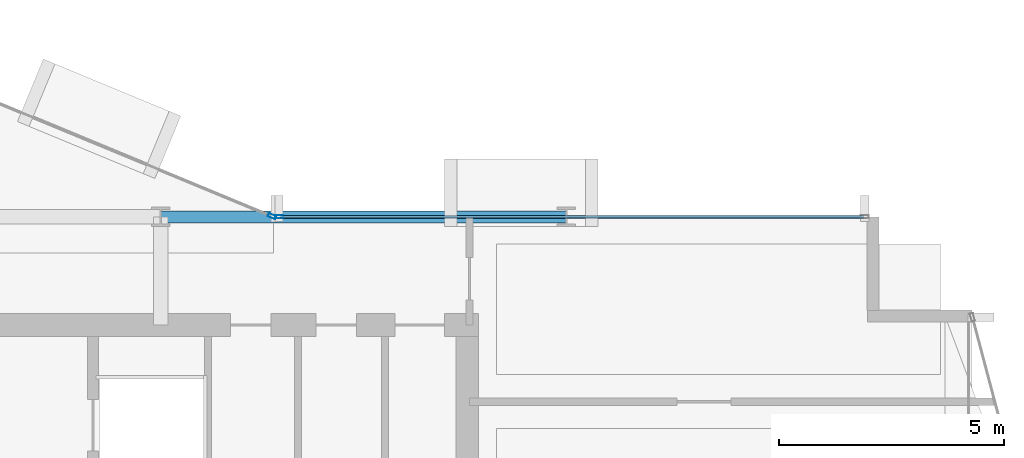
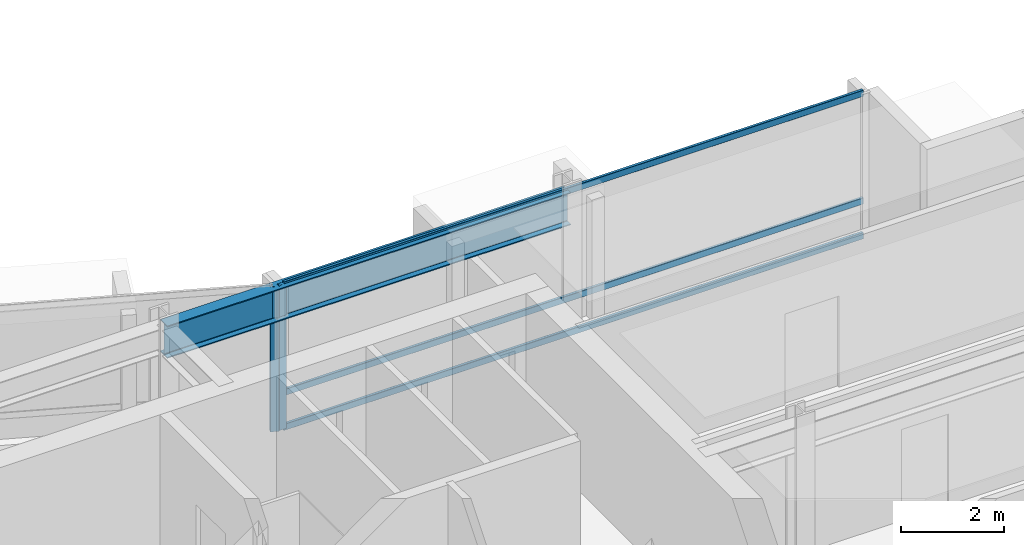
# One storey, part 13 of 29: 5 members, 1 beam, 2 elements without a shape of their own.
"""IFC4 building model written with IfcOpenShell, lengths in metres."""

from ifc_helpers import new_model, si_unit, direction, frame, origin, origin_2d, place, context, subcontext, project, spatial, hollow_rectangle, i_section, extrude, material, layer, layer_set, material_profile, profile_set, type_object, element, aggregate, save


model = new_model("IFC4")

# Units and contexts
model_context = context("Model", 3, precision=1e-05, world=origin(), true_north=direction((0.0, 1.0)))
body_context = subcontext(model_context, "Body", "Model", "MODEL_VIEW")
ifc_project = project(units=[si_unit("LENGTHUNIT", "METRE"), si_unit("AREAUNIT", "SQUARE_METRE"), si_unit("VOLUMEUNIT", "CUBIC_METRE"), si_unit("PLANEANGLEUNIT", "RADIAN"), si_unit("MASSUNIT", "GRAM", prefix="KILO")], contexts=[model_context])

# Site, building, storey
site_placement = place(None, origin())
site = spatial("IfcSite", under=ifc_project, at=site_placement, CompositionType="ELEMENT")
building_placement = place(site_placement, origin())
building = spatial("IfcBuilding", under=site, at=building_placement, Name="Solvaryn Broadcast Tower", CompositionType="ELEMENT")
storey_placement = place(building_placement, frame((0.0, 0.0, 139.60009765625)))
storey = spatial("IfcBuildingStorey", under=building, at=storey_placement, Name="L34", CompositionType="ELEMENT", Elevation=139.60009765625)

# Beam
ifc_material_1 = material(Name="Steel ASTM A992 Grade 50", Category="steel")
ifc_material_profile_1 = material_profile(ifc_material_1, i_section(OverallWidth=0.26708984375, OverallDepth=0.76611328125, WebThickness=0.014892578125, FlangeThickness=0.023681640625, FilletRadius=0.01806640625, at=origin_2d()))
ifc_profile_set_1 = profile_set([ifc_material_profile_1], Name="Steel ASTM A992 Grade 50")
beam_type = type_object("IfcBeamType", Name="BM-SP2-W30X124", PredefinedType="USERDEFINED", material=ifc_profile_set_1)
beam_placement = place(storey_placement, frame((36.0, 27.0, 3.036865234375), z_axis=(1.0, 0.0, 0.0), x_axis=(0.0, 1.0, 0.0)))
element("IfcBeam", 1, at=beam_placement, inside=storey, type_object=beam_type, Name="L34 Spandrel Beam X (36-45 @ Y=27)", ObjectType="SPANDREL", PredefinedType="USERDEFINED", context=body_context, shape_type="SweptSolid", body=[
    extrude(i_section(OverallWidth=0.26708984375, OverallDepth=0.76611328125, WebThickness=0.014892578125, FlangeThickness=0.023681640625, FilletRadius=0.01806640625, at=origin_2d()), origin(), (0.0, 0.0, 1.0), 9.0),
])

# Curtain wall, member
ifc_material_2 = material(Name="Aluminium and Terracotta Unitised Curtain Wall", Category="masonry")
ifc_layer = layer(ifc_material_2, 0.199951171875)
ifc_layer_set = layer_set([ifc_layer], Name="CW-SYS2-LOWMID")
curtain_wall_type = type_object("IfcCurtainWallType", Name="CW-SYS2-LOWMID", PredefinedType="NOTDEFINED", material=ifc_layer_set)
curtain_wall_1_placement = place(storey_placement, origin())
curtain_wall_1 = element("IfcCurtainWall", 2, at=curtain_wall_1_placement, inside=storey, type_object=curtain_wall_type, Name="L34 Curtain Wall CN1", PredefinedType="NOTDEFINED")
ifc_material_3 = material(Name="Anodised Aluminium 6063-T6", Category="aluminium")
ifc_material_profile_2 = material_profile(ifc_material_3, hollow_rectangle(XDim=0.074951171875, YDim=0.179931640625, WallThickness=0.00390625, InnerFilletRadius=0.00390625, OuterFilletRadius=0.008056640625, at=origin_2d()))
ifc_profile_set_2 = profile_set([ifc_material_profile_2], Name="Anodised Aluminium 6063-T6")
member_type_1 = type_object("IfcMemberType", Name="CW-MUL-180", PredefinedType="MULLION", material=ifc_profile_set_2)
member_1_placement = place(storey_placement, frame((38.47216796875, 27.011474609375, 0.0), z_axis=(0.0, 0.0, 1.0), x_axis=(-0.382646127145, -0.923894983957, 0.0)))
member_1 = element("IfcMember", 3, at=member_1_placement, type_object=member_type_1, Name="CWS2 mullion 1", PredefinedType="MULLION", context=body_context, shape_type="SweptSolid", body=[
    extrude(hollow_rectangle(XDim=0.074951171875, YDim=0.179931640625, WallThickness=0.00390625, InnerFilletRadius=0.00390625, OuterFilletRadius=0.008056640625, at=origin_2d()), origin(), (0.0, 0.0, 1.0), 3.419921875),
])
aggregate(curtain_wall_1, [member_1])

# Curtain wall, members
curtain_wall_2_placement = place(storey_placement, origin())
curtain_wall_2 = element("IfcCurtainWall", 4, at=curtain_wall_2_placement, inside=storey, type_object=curtain_wall_type, Name="L34 Curtain Wall IH", PredefinedType="NOTDEFINED")
member_2_placement = place(storey_placement, frame((38.6298828125, 27.0, 0.0), z_axis=(0.0, 0.0, 1.0), x_axis=(0.0, 1.0, 0.0)))
member_2 = element("IfcMember", 5, at=member_2_placement, type_object=member_type_1, Name="CWS2 mullion 1", PredefinedType="MULLION", context=body_context, shape_type="SweptSolid", body=[
    extrude(hollow_rectangle(XDim=0.074951171875, YDim=0.179931640625, WallThickness=0.00390625, InnerFilletRadius=0.00390625, OuterFilletRadius=0.008056640625, at=origin_2d()), origin(), (0.0, 0.0, 1.0), 3.419921875),
])
ifc_material_4 = material(Name="Anodised Aluminium 6063-T6", Category="aluminium")
ifc_material_profile_3 = material_profile(ifc_material_4, hollow_rectangle(XDim=0.06494140625, YDim=0.14990234375, WallThickness=0.00390625, InnerFilletRadius=0.00390625, OuterFilletRadius=0.008056640625, at=origin_2d()))
ifc_profile_set_3 = profile_set([ifc_material_profile_3], Name="Anodised Aluminium 6063-T6")
member_type_2 = type_object("IfcMemberType", Name="CW-TRN-150", PredefinedType="USERDEFINED", material=ifc_profile_set_3)
member_3_placement = place(storey_placement, frame((38.659912109375, 27.0, 0.02978515625), z_axis=(1.0, 0.0, 0.0), x_axis=(0.0, 1.0, 0.0)))
member_3 = element("IfcMember", 6, at=member_3_placement, type_object=member_type_2, Name="CWS2 transom 1.1", ObjectType="TRANSOM", PredefinedType="USERDEFINED", context=body_context, shape_type="SweptSolid", body=[
    extrude(hollow_rectangle(XDim=0.06494140625, YDim=0.14990234375, WallThickness=0.00390625, InnerFilletRadius=0.00390625, OuterFilletRadius=0.008056640625, at=origin_2d()), origin(), (0.0, 0.0, 1.0), 12.93017578125),
])
member_4_placement = place(storey_placement, frame((38.659912109375, 27.0, 0.849853515625), z_axis=(1.0, 0.0, 0.0), x_axis=(0.0, 1.0, 0.0)))
member_4 = element("IfcMember", 7, at=member_4_placement, type_object=member_type_2, Name="CWS2 transom 1.2", ObjectType="TRANSOM", PredefinedType="USERDEFINED", context=body_context, shape_type="SweptSolid", body=[
    extrude(hollow_rectangle(XDim=0.06494140625, YDim=0.14990234375, WallThickness=0.00390625, InnerFilletRadius=0.00390625, OuterFilletRadius=0.008056640625, at=origin_2d()), origin(), (0.0, 0.0, 1.0), 12.93017578125),
])
member_5_placement = place(storey_placement, frame((38.659912109375, 27.0, 3.389892578125), z_axis=(1.0, 0.0, 0.0), x_axis=(0.0, 1.0, 0.0)))
member_5 = element("IfcMember", 8, at=member_5_placement, type_object=member_type_2, Name="CWS2 transom 1.3", ObjectType="TRANSOM", PredefinedType="USERDEFINED", context=body_context, shape_type="SweptSolid", body=[
    extrude(hollow_rectangle(XDim=0.06494140625, YDim=0.14990234375, WallThickness=0.00390625, InnerFilletRadius=0.00390625, OuterFilletRadius=0.008056640625, at=origin_2d()), origin(), (0.0, 0.0, 1.0), 12.93017578125),
])
aggregate(curtain_wall_2, [member_2, member_3, member_4, member_5])

save(model, "model.ifc")
